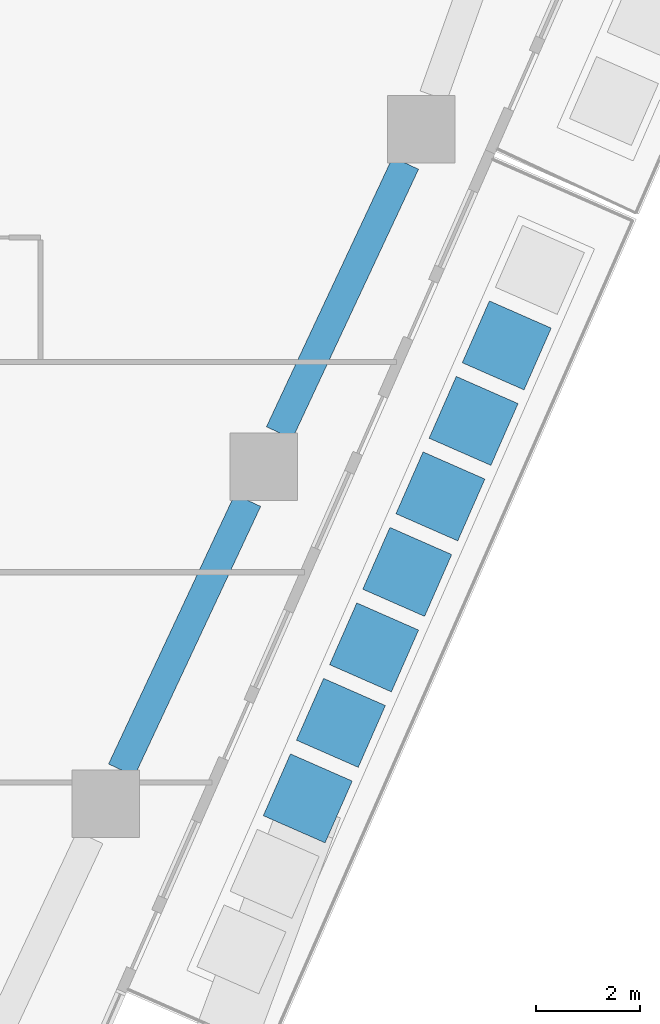
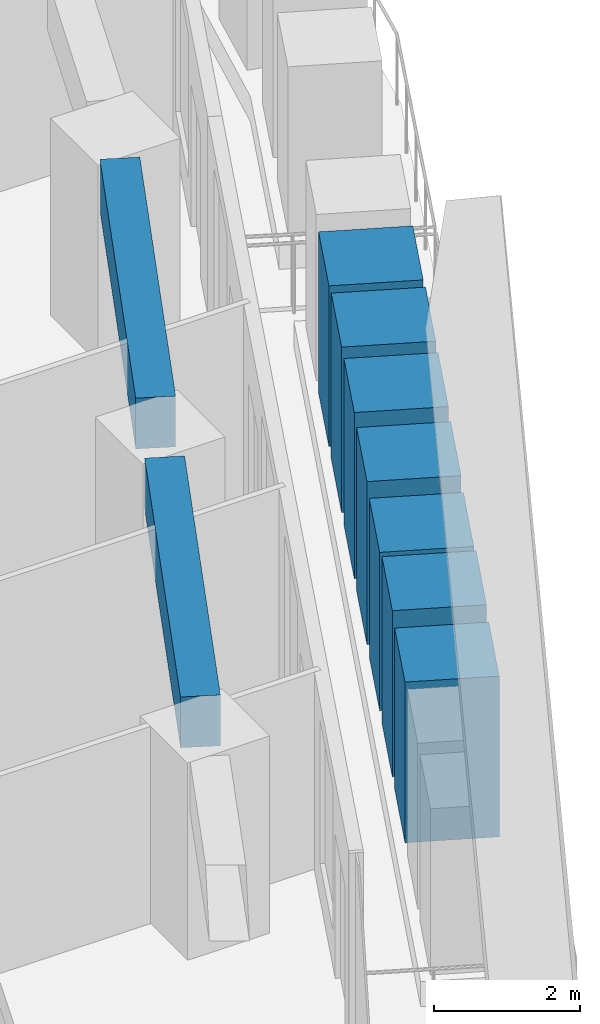
# One storey, part 5 of 24: 7 members, 2 beams.
"""IFC4 building model written with IfcOpenShell, lengths in metres."""

from ifc_helpers import new_model, si_unit, direction, frame, origin, origin_2d, place, context, subcontext, project, spatial, rectangle, extrude, material, material_profile, profile_set, type_object, element, save


model = new_model("IFC4")

# Units and contexts
model_context = context("Model", 3, precision=1e-05, world=origin(), true_north=direction((0.0, 1.0)))
body_context = subcontext(model_context, "Body", "Model", "MODEL_VIEW")
ifc_project = project(units=[si_unit("LENGTHUNIT", "METRE"), si_unit("AREAUNIT", "SQUARE_METRE"), si_unit("VOLUMEUNIT", "CUBIC_METRE"), si_unit("PLANEANGLEUNIT", "RADIAN"), si_unit("MASSUNIT", "GRAM", prefix="KILO")], contexts=[model_context])

# Site, building, storey
site_placement = place(None, origin())
site = spatial("IfcSite", under=ifc_project, at=site_placement, CompositionType="ELEMENT")
building_placement = place(site_placement, origin())
building = spatial("IfcBuilding", under=site, at=building_placement, Name="Dongbaek Canopy Tower", CompositionType="ELEMENT")
storey_placement = place(building_placement, frame((0.0, 0.0, 128.5)))
storey = spatial("IfcBuildingStorey", under=building, at=storey_placement, Name="L28", CompositionType="ELEMENT", Elevation=128.5)

# Beams
ifc_material_1 = material(Name="Concrete C80", Category="concrete")
ifc_material_profile_1 = material_profile(ifc_material_1, rectangle(XDim=0.550048828125, YDim=0.85009765625, at=origin_2d()), Name="RC EDGE BEAM 550x850 C80")
ifc_profile_set_1 = profile_set([ifc_material_profile_1], Name="Concrete C80")
beam_type = type_object("IfcBeamType", Name="RC EDGE BEAM 550x850 C80", PredefinedType="BEAM", material=ifc_profile_set_1)
beam_1_placement = place(storey_placement, frame((27.131591796875, -0.81494140625, 2.875), z_axis=(-0.424053070164, -0.90563734115, 0.0), x_axis=(0.90563734115, -0.424053070164, 0.0)))
element("IfcBeam", 1, at=beam_1_placement, inside=storey, type_object=beam_type, Name="EDGEBEAM:L28:22", PredefinedType="BEAM", context=body_context, shape_type="SweptSolid", body=[
    extrude(rectangle(XDim=0.550048828125, YDim=0.85009765625, at=origin_2d()), origin(), (0.0, 0.0, 1.0), 5.733154296875),
])
beam_2_placement = place(storey_placement, frame((24.091796875, -7.306884765625, 2.875), z_axis=(-0.424022586017, -0.905651614335, 0.0), x_axis=(0.905651614335, -0.424022586017, 0.0)))
element("IfcBeam", 2, at=beam_2_placement, inside=storey, type_object=beam_type, Name="EDGEBEAM:L28:23", PredefinedType="BEAM", context=body_context, shape_type="SweptSolid", body=[
    extrude(rectangle(XDim=0.550048828125, YDim=0.85009765625, at=origin_2d()), origin(), (0.0, 0.0, 1.0), 5.734130859375),
])

# Members
ifc_material_2 = material(Name="Concrete C40/50 planter mass with planting", Category="concrete")
ifc_material_profile_2 = material_profile(ifc_material_2, rectangle(XDim=1.300048828125, YDim=1.300048828125, at=origin_2d()), Name="Terrace PLANTER shrub mass 1300 x 1300")
ifc_profile_set_2 = profile_set([ifc_material_profile_2], Name="Concrete C40/50 planter mass with planting")
member_type = type_object("IfcMemberType", Name="Terrace PLANTER shrub mass 1300 x 1300", PredefinedType="USERDEFINED", material=ifc_profile_set_2)
member_1_placement = place(storey_placement, frame((25.24755859375, -13.045166015625, 0.419921875), z_axis=(0.0, 0.0, 1.0), x_axis=(0.915562348389, -0.402176063698, 0.0)))
element("IfcMember", 3, at=member_1_placement, inside=storey, type_object=member_type, Name="Planter shrubs L28 4.3", ObjectType="PLANTER", PredefinedType="USERDEFINED", context=body_context, shape_type="SweptSolid", body=[
    extrude(rectangle(XDim=1.300048828125, YDim=1.300048828125, at=origin_2d()), origin(), (0.0, 0.0, 1.0), 2.690185546875),
])
member_2_placement = place(storey_placement, frame((25.885986328125, -11.591552734375, 0.419921875), z_axis=(0.0, 0.0, 1.0), x_axis=(0.915562348389, -0.402176063698, 0.0)))
element("IfcMember", 4, at=member_2_placement, inside=storey, type_object=member_type, Name="Planter shrubs L28 4.4", ObjectType="PLANTER", PredefinedType="USERDEFINED", context=body_context, shape_type="SweptSolid", body=[
    extrude(rectangle(XDim=1.300048828125, YDim=1.300048828125, at=origin_2d()), origin(), (0.0, 0.0, 1.0), 2.780029296875),
])
member_3_placement = place(storey_placement, frame((26.524658203125, -10.137939453125, 0.419921875), z_axis=(0.0, 0.0, 1.0), x_axis=(0.915562348389, -0.402176063698, 0.0)))
element("IfcMember", 5, at=member_3_placement, inside=storey, type_object=member_type, Name="Planter shrubs L28 4.5", ObjectType="PLANTER", PredefinedType="USERDEFINED", context=body_context, shape_type="SweptSolid", body=[
    extrude(rectangle(XDim=1.300048828125, YDim=1.300048828125, at=origin_2d()), origin(), (0.0, 0.0, 1.0), 2.650146484375),
])
member_4_placement = place(storey_placement, frame((27.1630859375, -8.684326171875, 0.419921875), z_axis=(0.0, 0.0, 1.0), x_axis=(0.915562348389, -0.402176063698, 0.0)))
element("IfcMember", 6, at=member_4_placement, inside=storey, type_object=member_type, Name="Planter shrubs L28 4.6", ObjectType="PLANTER", PredefinedType="USERDEFINED", context=body_context, shape_type="SweptSolid", body=[
    extrude(rectangle(XDim=1.300048828125, YDim=1.300048828125, at=origin_2d()), origin(), (0.0, 0.0, 1.0), 2.72998046875),
])
member_5_placement = place(storey_placement, frame((27.8017578125, -7.230712890625, 0.419921875), z_axis=(0.0, 0.0, 1.0), x_axis=(0.915562348389, -0.402176063698, 0.0)))
element("IfcMember", 7, at=member_5_placement, inside=storey, type_object=member_type, Name="Planter shrubs L28 4.7", ObjectType="PLANTER", PredefinedType="USERDEFINED", context=body_context, shape_type="SweptSolid", body=[
    extrude(rectangle(XDim=1.300048828125, YDim=1.300048828125, at=origin_2d()), origin(), (0.0, 0.0, 1.0), 2.780029296875),
])
member_6_placement = place(storey_placement, frame((28.440185546875, -5.777099609375, 0.419921875), z_axis=(0.0, 0.0, 1.0), x_axis=(0.915562348389, -0.402176063698, 0.0)))
element("IfcMember", 8, at=member_6_placement, inside=storey, type_object=member_type, Name="Planter shrubs L28 4.8", ObjectType="PLANTER", PredefinedType="USERDEFINED", context=body_context, shape_type="SweptSolid", body=[
    extrude(rectangle(XDim=1.300048828125, YDim=1.300048828125, at=origin_2d()), origin(), (0.0, 0.0, 1.0), 2.77001953125),
])
member_7_placement = place(storey_placement, frame((29.07861328125, -4.323486328125, 0.419921875), z_axis=(0.0, 0.0, 1.0), x_axis=(0.915562348389, -0.402176063698, 0.0)))
element("IfcMember", 9, at=member_7_placement, inside=storey, type_object=member_type, Name="Planter shrubs L28 4.9", ObjectType="PLANTER", PredefinedType="USERDEFINED", context=body_context, shape_type="SweptSolid", body=[
    extrude(rectangle(XDim=1.300048828125, YDim=1.300048828125, at=origin_2d()), origin(), (0.0, 0.0, 1.0), 2.690185546875),
])

save(model, "model.ifc")
